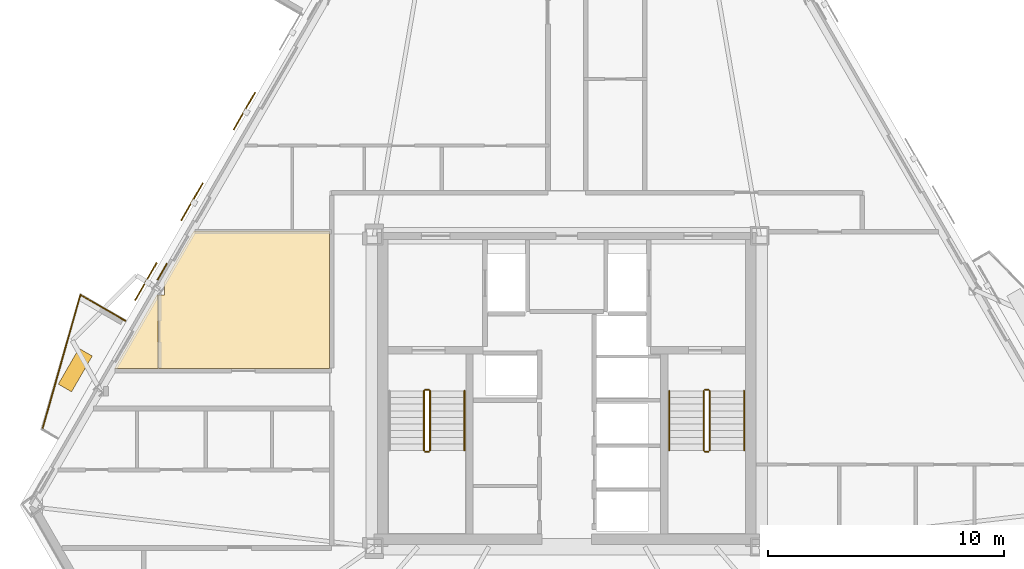
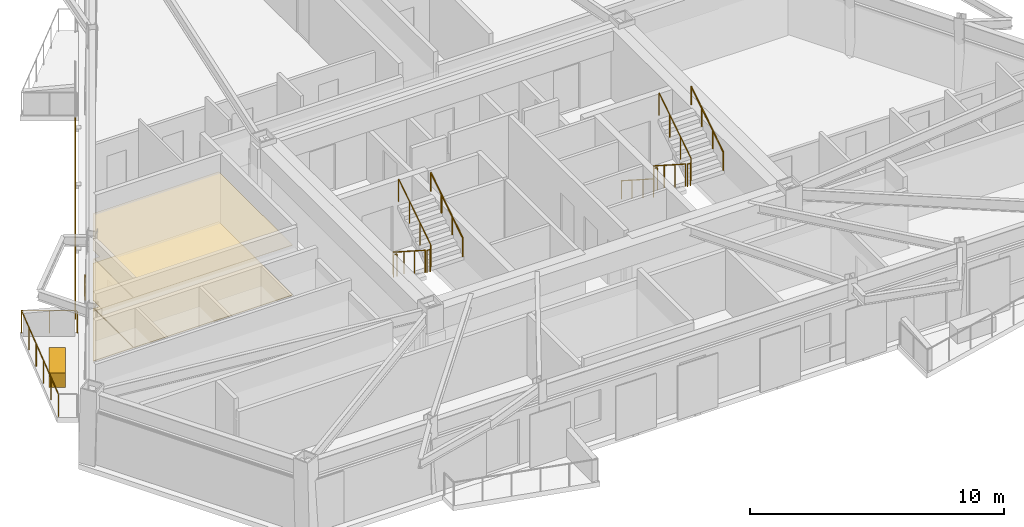
# One storey, part 8 of 9: 13 railings, 6 coverings, 3 shading devices.
"""IFC4 building model written with IfcOpenShell, lengths in metres."""

from ifc_helpers import new_model, si_unit, direction, frame, origin, origin_2d, place, context, subcontext, project, spatial, polyline, rectangle, circle, outline, extrude, material, layer, layer_set, type_object, element, save


model = new_model("IFC4")

# Units and contexts
model_context = context("Model", 3, precision=1e-05, world=origin(), true_north=direction((0.0, 1.0)))
body_context = subcontext(model_context, "Body", "Model", "MODEL_VIEW")
ifc_project = project(units=[si_unit("LENGTHUNIT", "METRE"), si_unit("AREAUNIT", "SQUARE_METRE"), si_unit("VOLUMEUNIT", "CUBIC_METRE"), si_unit("PLANEANGLEUNIT", "RADIAN"), si_unit("MASSUNIT", "GRAM", prefix="KILO")], contexts=[model_context])

# Site, building, storey
site_placement = place(None, origin())
site = spatial("IfcSite", under=ifc_project, at=site_placement, CompositionType="ELEMENT")
building_placement = place(site_placement, origin())
building = spatial("IfcBuilding", under=site, at=building_placement, Name="Oramaril Tower", CompositionType="ELEMENT")
storey_placement = place(building_placement, frame((0.0, 0.0, 142.199951171875)))
storey = spatial("IfcBuildingStorey", under=building, at=storey_placement, Name="L37", CompositionType="ELEMENT", Elevation=142.199951171875)

# Coverings
ifc_material_1 = material(Name="Mineral Fibre Acoustic Ceiling")
ifc_layer_1 = layer(ifc_material_1, 0.02001953125)
ifc_layer_set_1 = layer_set([ifc_layer_1], Name="CVT-CEIL")
covering_type_1 = type_object("IfcCoveringType", Name="CVT-CEIL", PredefinedType="CEILING", material=ifc_layer_set_1)
covering_1_placement = place(storey_placement, frame((0.0, 0.0, 2.400146484375)))
element("IfcCovering", 1, at=covering_1_placement, inside=storey, type_object=covering_type_1, Name="L37 Acoustic Suspended Ceiling 14", PredefinedType="CEILING", context=body_context, shape_type="SweptSolid", body=[
    extrude(outline(polyline([(20.226806640625, 21.658935546875), (20.4775390625, 21.658935546875), (20.4775390625, 22.1494140625), (20.4482421875, 22.1494140625), (21.725830078125, 24.362060546875), (27.449951171875, 24.362060546875), (27.449951171875, 24.239990234375), (27.4501953125, 24.238037109375), (27.450439453125, 24.236083984375), (27.450927734375, 24.234130859375), (27.451416015625, 24.232421875), (27.452392578125, 24.230712890625), (27.45263671875, 24.22998046875), (27.452392578125, 24.2294921875), (27.451416015625, 24.227783203125), (27.450927734375, 24.225830078125), (27.450439453125, 24.223876953125), (27.4501953125, 24.221923828125), (27.449951171875, 24.219970703125), (27.449951171875, 18.550048828125), (20.226806640625, 18.550048828125), (20.226806640625, 21.658935546875)])), origin(), (0.0, 0.0, 1.0), 0.02001953125),
])
covering_2_placement = place(storey_placement, frame((0.0, 0.0, 2.400146484375)))
element("IfcCovering", 2, at=covering_2_placement, inside=storey, type_object=covering_type_1, Name="L37 Acoustic Suspended Ceiling 15", PredefinedType="CEILING", context=body_context, shape_type="SweptSolid", body=[
    extrude(outline(polyline([(20.165283203125, 21.658935546875), (20.206787109375, 21.658935546875), (20.206787109375, 18.550048828125), (18.370361328125, 18.550048828125), (20.165283203125, 21.658935546875)])), origin(), (0.0, 0.0, 1.0), 0.02001953125),
])
ifc_material_2 = material(Name="Warm Cream Limestone", Category="masonry")
ifc_layer_2 = layer(ifc_material_2, 0.050048828125)
ifc_layer_set_2 = layer_set([ifc_layer_2], Name="CVT-CLD")
covering_type_2 = type_object("IfcCoveringType", Name="CVT-CLD", PredefinedType="CLADDING", material=ifc_layer_set_2)
covering_3_placement = place(storey_placement, frame((20.383056640625, 22.63818359375, 0.0400390625), z_axis=(0.0, 0.0, 1.0), x_axis=(-0.4999984885, -0.866026276448, 0.0)))
element("IfcCovering", 3, at=covering_3_placement, inside=storey, type_object=covering_type_2, Name="L37 Warm Cream Limestone Spandrel Cladding", PredefinedType="CLADDING", context=body_context, shape_type="SweptSolid", body=[
    extrude(rectangle(XDim=0.800048828125, YDim=0.050048828125, at=origin_2d()), origin(), (0.0, 0.0, 1.0), 0.679931640625),
])
covering_4_placement = place(storey_placement, frame((16.70361328125, 18.472412109375, 0.0), z_axis=(0.0, 0.0, 1.0), x_axis=(-0.4999984885, -0.866026276448, 0.0)))
element("IfcCovering", 4, at=covering_4_placement, inside=storey, type_object=covering_type_2, Name="L37 Structural Tree Planter Box L37-BAL-NW2", PredefinedType="CLADDING", context=body_context, shape_type="SweptSolid", body=[
    extrude(rectangle(XDim=1.75, YDim=0.64990234375, at=origin_2d()), origin(), (0.0, 0.0, 1.0), 0.699951171875),
])
ifc_material_3 = material(Name="Honed Quartzite Stone Flooring", Category="masonry")
ifc_layer_3 = layer(ifc_material_3, 0.02490234375)
ifc_layer_set_3 = layer_set([ifc_layer_3], Name="CVT-FLR")
covering_type_3 = type_object("IfcCoveringType", Name="CVT-FLR", PredefinedType="FLOORING", material=ifc_layer_set_3)
covering_5_placement = place(storey_placement, origin())
element("IfcCovering", 5, at=covering_5_placement, inside=storey, type_object=covering_type_3, Name="L37 Honed Stone Floor Finish 14", PredefinedType="FLOORING", context=body_context, shape_type="SweptSolid", body=[
    extrude(outline(polyline([(20.226806640625, 21.658935546875), (20.4775390625, 21.658935546875), (20.4775390625, 22.1494140625), (20.4482421875, 22.1494140625), (21.725830078125, 24.362060546875), (27.449951171875, 24.362060546875), (27.449951171875, 24.239990234375), (27.4501953125, 24.238037109375), (27.450439453125, 24.236083984375), (27.450927734375, 24.234130859375), (27.451416015625, 24.232421875), (27.452392578125, 24.230712890625), (27.45263671875, 24.22998046875), (27.452392578125, 24.2294921875), (27.451416015625, 24.227783203125), (27.450927734375, 24.225830078125), (27.450439453125, 24.223876953125), (27.4501953125, 24.221923828125), (27.449951171875, 24.219970703125), (27.449951171875, 18.550048828125), (20.226806640625, 18.550048828125), (20.226806640625, 21.658935546875)])), origin(), (0.0, 0.0, 1.0), 0.025146484375),
])
covering_6_placement = place(storey_placement, origin())
element("IfcCovering", 6, at=covering_6_placement, inside=storey, type_object=covering_type_3, Name="L37 Honed Stone Floor Finish 15", PredefinedType="FLOORING", context=body_context, shape_type="SweptSolid", body=[
    extrude(outline(polyline([(20.165283203125, 21.658935546875), (20.206787109375, 21.658935546875), (20.206787109375, 18.550048828125), (18.370361328125, 18.550048828125), (20.165283203125, 21.658935546875)])), origin(), (0.0, 0.0, 1.0), 0.025146484375),
])

# Railings
ifc_material_4 = material(Name="Stainless Steel 316L", Category="steel")
railing_type_1 = type_object("IfcRailingType", Name="RLT-GRD", PredefinedType="GUARDRAIL", material=ifc_material_4)
railing_1_placement = place(storey_placement, frame((15.3115234375, 15.968017578125, 0.0)))
element("IfcRailing", 7, at=railing_1_placement, inside=storey, type_object=railing_type_1, Name="L37 Balcony Guardrail L37-BAL-NW2.2", PredefinedType="GUARDRAIL", context=body_context, shape_type="SweptSolid", body=[
    extrude(circle(Radius=0.02392578125, at=origin_2d()), frame((0.0, 0.0, 1.076171875), z_axis=(0.27224886544, 0.962226873074, 0.0), x_axis=(-0.962226873074, 0.27224886544, 0.0)), (0.0, 0.0, 1.0), 5.910400390625),
    extrude(circle(Radius=0.02099609375, at=origin_2d()), origin(), (0.0, 0.0, 1.0), 1.052001953125),
    extrude(circle(Radius=0.02099609375, at=origin_2d()), frame((0.32177734375, 1.137451171875, 0.0)), (0.0, 0.0, 1.0), 1.052001953125),
    extrude(circle(Radius=0.02099609375, at=origin_2d()), frame((0.6435546875, 2.27490234375, 0.0)), (0.0, 0.0, 1.0), 1.052001953125),
    extrude(circle(Radius=0.02099609375, at=origin_2d()), frame((0.965576171875, 3.412353515625, 0.0)), (0.0, 0.0, 1.0), 1.052001953125),
    extrude(circle(Radius=0.02099609375, at=origin_2d()), frame((1.287353515625, 4.5498046875, 0.0)), (0.0, 0.0, 1.0), 1.052001953125),
    extrude(circle(Radius=0.02099609375, at=origin_2d()), frame((1.609130859375, 5.687255859375, 0.0)), (0.0, 0.0, 1.0), 1.052001953125),
])
railing_2_placement = place(storey_placement, frame((16.920654296875, 21.6552734375, 0.0)))
element("IfcRailing", 8, at=railing_2_placement, inside=storey, type_object=railing_type_1, Name="L37 Balcony Guardrail L37-BAL-NW2.3", PredefinedType="GUARDRAIL", context=body_context, shape_type="SweptSolid", body=[
    extrude(circle(Radius=0.02392578125, at=origin_2d()), frame((0.0, 0.0, 1.076171875), z_axis=(0.866000118559, -0.500043792738, 0.0), x_axis=(0.500043792738, 0.866000118559, 0.0)), (0.0, 0.0, 1.0), 2.192138671875),
    extrude(circle(Radius=0.02099609375, at=origin_2d()), origin(), (0.0, 0.0, 1.0), 1.052001953125),
    extrude(circle(Radius=0.02099609375, at=origin_2d()), frame((0.94921875, -0.548095703125, 0.0)), (0.0, 0.0, 1.0), 1.052001953125),
    extrude(circle(Radius=0.02099609375, at=origin_2d()), frame((1.8984375, -1.09619140625, 0.0)), (0.0, 0.0, 1.0), 1.052001953125),
])
railing_3_placement = place(storey_placement, frame((31.4599609375, 17.590087890625, 0.179931640625)))
element("IfcRailing", 9, at=railing_3_placement, inside=storey, type_object=railing_type_1, Name="L37 ST-1 stair guard 1", PredefinedType="GUARDRAIL", context=body_context, shape_type="SweptSolid", body=[
    extrude(circle(Radius=0.02392578125, at=origin_2d()), frame((0.0, 0.0, 1.076171875), z_axis=(0.0, -0.841162588446, 0.540782303519), x_axis=(1.0, 0.0, 0.0)), (0.0, 0.0, 1.0), 2.995849609375),
    extrude(circle(Radius=0.02099609375, at=origin_2d()), origin(), (0.0, 0.0, 1.0), 1.052001953125),
    extrude(circle(Radius=0.02099609375, at=origin_2d()), frame((0.0, -0.840087890625, 0.5400390625)), (0.0, 0.0, 1.0), 1.052001953125),
    extrude(circle(Radius=0.02099609375, at=origin_2d()), frame((0.0, -1.679931640625, 1.080078125)), (0.0, 0.0, 1.0), 1.052001953125),
    extrude(circle(Radius=0.02099609375, at=origin_2d()), frame((0.0, -2.52001953125, 1.6201171875)), (0.0, 0.0, 1.0), 1.052001953125),
])
railing_4_placement = place(storey_placement, frame((31.510009765625, 15.02001953125, 1.800048828125)))
element("IfcRailing", 10, at=railing_4_placement, inside=storey, type_object=railing_type_1, Name="L37 ST-1 stair guard 2", PredefinedType="GUARDRAIL", context=body_context, shape_type="SweptSolid", body=[
    extrude(circle(Radius=0.02392578125, at=origin_2d()), frame((0.0, 0.0, 1.076171875), z_axis=(1.0, 0.0, 0.0), x_axis=(0.0, 1.0, 0.0)), (0.0, 0.0, 1.0), 0.14990234375),
    extrude(circle(Radius=0.02099609375, at=origin_2d()), origin(), (0.0, 0.0, 1.0), 1.052001953125),
    extrude(circle(Radius=0.02099609375, at=origin_2d()), frame((0.14990234375, 0.0, 0.0)), (0.0, 0.0, 1.0), 1.052001953125),
])
railing_5_placement = place(storey_placement, frame((31.7099609375, 15.070068359375, 1.97998046875)))
element("IfcRailing", 11, at=railing_5_placement, inside=storey, type_object=railing_type_1, Name="L37 ST-1 stair guard 3", PredefinedType="GUARDRAIL", context=body_context, shape_type="SweptSolid", body=[
    extrude(circle(Radius=0.02392578125, at=origin_2d()), frame((0.0, 0.0, 1.076171875), z_axis=(0.0, 0.841162588446, 0.540782303519), x_axis=(-1.0, 0.0, 0.0)), (0.0, 0.0, 1.0), 2.995849609375),
    extrude(circle(Radius=0.02099609375, at=origin_2d()), origin(), (0.0, 0.0, 1.0), 1.052001953125),
    extrude(circle(Radius=0.02099609375, at=origin_2d()), frame((0.0, 0.840087890625, 0.5400390625)), (0.0, 0.0, 1.0), 1.052001953125),
    extrude(circle(Radius=0.02099609375, at=origin_2d()), frame((0.0, 1.679931640625, 1.080078125)), (0.0, 0.0, 1.0), 1.052001953125),
    extrude(circle(Radius=0.02099609375, at=origin_2d()), frame((0.0, 2.52001953125, 1.6201171875)), (0.0, 0.0, 1.0), 1.052001953125),
])
railing_6_placement = place(storey_placement, frame((31.510009765625, 17.639892578125, 0.0)))
element("IfcRailing", 12, at=railing_6_placement, inside=storey, type_object=railing_type_1, Name="L37 ST-1 stair guard 4", PredefinedType="GUARDRAIL", context=body_context, shape_type="SweptSolid", body=[
    extrude(circle(Radius=0.02392578125, at=origin_2d()), frame((0.0, 0.0, 1.076171875), z_axis=(1.0, 0.0, 0.0), x_axis=(0.0, 1.0, 0.0)), (0.0, 0.0, 1.0), 0.14990234375),
    extrude(circle(Radius=0.02099609375, at=origin_2d()), origin(), (0.0, 0.0, 1.0), 1.052001953125),
    extrude(circle(Radius=0.02099609375, at=origin_2d()), frame((0.14990234375, 0.0, 0.0)), (0.0, 0.0, 1.0), 1.052001953125),
])
railing_7_placement = place(storey_placement, frame((43.2900390625, 17.590087890625, 0.179931640625)))
element("IfcRailing", 13, at=railing_7_placement, inside=storey, type_object=railing_type_1, Name="L37 ST-2 stair guard 1", PredefinedType="GUARDRAIL", context=body_context, shape_type="SweptSolid", body=[
    extrude(circle(Radius=0.02392578125, at=origin_2d()), frame((0.0, 0.0, 1.076171875), z_axis=(0.0, -0.841162588446, 0.540782303519), x_axis=(1.0, 0.0, 0.0)), (0.0, 0.0, 1.0), 2.995849609375),
    extrude(circle(Radius=0.02099609375, at=origin_2d()), origin(), (0.0, 0.0, 1.0), 1.052001953125),
    extrude(circle(Radius=0.02099609375, at=origin_2d()), frame((0.0, -0.840087890625, 0.5400390625)), (0.0, 0.0, 1.0), 1.052001953125),
    extrude(circle(Radius=0.02099609375, at=origin_2d()), frame((0.0, -1.679931640625, 1.080078125)), (0.0, 0.0, 1.0), 1.052001953125),
    extrude(circle(Radius=0.02099609375, at=origin_2d()), frame((0.0, -2.52001953125, 1.6201171875)), (0.0, 0.0, 1.0), 1.052001953125),
])
railing_8_placement = place(storey_placement, frame((43.340087890625, 15.02001953125, 1.800048828125)))
element("IfcRailing", 14, at=railing_8_placement, inside=storey, type_object=railing_type_1, Name="L37 ST-2 stair guard 2", PredefinedType="GUARDRAIL", context=body_context, shape_type="SweptSolid", body=[
    extrude(circle(Radius=0.02392578125, at=origin_2d()), frame((0.0, 0.0, 1.076171875), z_axis=(1.0, 0.0, 0.0), x_axis=(0.0, 1.0, 0.0)), (0.0, 0.0, 1.0), 0.14990234375),
    extrude(circle(Radius=0.02099609375, at=origin_2d()), origin(), (0.0, 0.0, 1.0), 1.052001953125),
    extrude(circle(Radius=0.02099609375, at=origin_2d()), frame((0.14990234375, 0.0, 0.0)), (0.0, 0.0, 1.0), 1.052001953125),
])
railing_9_placement = place(storey_placement, frame((43.5400390625, 15.070068359375, 1.97998046875)))
element("IfcRailing", 15, at=railing_9_placement, inside=storey, type_object=railing_type_1, Name="L37 ST-2 stair guard 3", PredefinedType="GUARDRAIL", context=body_context, shape_type="SweptSolid", body=[
    extrude(circle(Radius=0.02392578125, at=origin_2d()), frame((0.0, 0.0, 1.076171875), z_axis=(0.0, 0.841162588446, 0.540782303519), x_axis=(-1.0, 0.0, 0.0)), (0.0, 0.0, 1.0), 2.995849609375),
    extrude(circle(Radius=0.02099609375, at=origin_2d()), origin(), (0.0, 0.0, 1.0), 1.052001953125),
    extrude(circle(Radius=0.02099609375, at=origin_2d()), frame((0.0, 0.840087890625, 0.5400390625)), (0.0, 0.0, 1.0), 1.052001953125),
    extrude(circle(Radius=0.02099609375, at=origin_2d()), frame((0.0, 1.679931640625, 1.080078125)), (0.0, 0.0, 1.0), 1.052001953125),
    extrude(circle(Radius=0.02099609375, at=origin_2d()), frame((0.0, 2.52001953125, 1.6201171875)), (0.0, 0.0, 1.0), 1.052001953125),
])
railing_10_placement = place(storey_placement, frame((43.340087890625, 17.639892578125, 0.0)))
element("IfcRailing", 16, at=railing_10_placement, inside=storey, type_object=railing_type_1, Name="L37 ST-2 stair guard 4", PredefinedType="GUARDRAIL", context=body_context, shape_type="SweptSolid", body=[
    extrude(circle(Radius=0.02392578125, at=origin_2d()), frame((0.0, 0.0, 1.076171875), z_axis=(1.0, 0.0, 0.0), x_axis=(0.0, 1.0, 0.0)), (0.0, 0.0, 1.0), 0.14990234375),
    extrude(circle(Radius=0.02099609375, at=origin_2d()), origin(), (0.0, 0.0, 1.0), 1.052001953125),
    extrude(circle(Radius=0.02099609375, at=origin_2d()), frame((0.14990234375, 0.0, 0.0)), (0.0, 0.0, 1.0), 1.052001953125),
])
ifc_material_5 = material(Name="Stainless Steel 316L", Category="steel")
railing_type_2 = type_object("IfcRailingType", Name="RLT-HND", PredefinedType="HANDRAIL", material=ifc_material_5)
railing_11_placement = place(storey_placement, frame((33.169921875, 15.070068359375, 1.97998046875)))
element("IfcRailing", 17, at=railing_11_placement, inside=storey, type_object=railing_type_2, Name="L37 ST-1 stair handrail 2", PredefinedType="HANDRAIL", context=body_context, shape_type="SweptSolid", body=[
    extrude(circle(Radius=0.02392578125, at=origin_2d()), frame((0.0, 0.0, 0.8759765625), z_axis=(0.0, 0.841162588446, 0.540782303519), x_axis=(-1.0, 0.0, 0.0)), (0.0, 0.0, 1.0), 2.995849609375),
    extrude(circle(Radius=0.02099609375, at=origin_2d()), origin(), (0.0, 0.0, 1.0), 0.851806640625),
    extrude(circle(Radius=0.02099609375, at=origin_2d()), frame((0.0, 0.840087890625, 0.5400390625)), (0.0, 0.0, 1.0), 0.851806640625),
    extrude(circle(Radius=0.02099609375, at=origin_2d()), frame((0.0, 1.679931640625, 1.080078125)), (0.0, 0.0, 1.0), 0.851806640625),
    extrude(circle(Radius=0.02099609375, at=origin_2d()), frame((0.0, 2.52001953125, 1.6201171875)), (0.0, 0.0, 1.0), 0.851806640625),
])
railing_12_placement = place(storey_placement, frame((41.830078125, 17.590087890625, 0.179931640625)))
element("IfcRailing", 18, at=railing_12_placement, inside=storey, type_object=railing_type_2, Name="L37 ST-2 stair handrail 1", PredefinedType="HANDRAIL", context=body_context, shape_type="SweptSolid", body=[
    extrude(circle(Radius=0.02392578125, at=origin_2d()), frame((0.0, 0.0, 0.8759765625), z_axis=(0.0, -0.841162588446, 0.540782303519), x_axis=(1.0, 0.0, 0.0)), (0.0, 0.0, 1.0), 2.995849609375),
    extrude(circle(Radius=0.02099609375, at=origin_2d()), origin(), (0.0, 0.0, 1.0), 0.851806640625),
    extrude(circle(Radius=0.02099609375, at=origin_2d()), frame((0.0, -0.840087890625, 0.5400390625)), (0.0, 0.0, 1.0), 0.851806640625),
    extrude(circle(Radius=0.02099609375, at=origin_2d()), frame((0.0, -1.679931640625, 1.080078125)), (0.0, 0.0, 1.0), 0.851806640625),
    extrude(circle(Radius=0.02099609375, at=origin_2d()), frame((0.0, -2.52001953125, 1.6201171875)), (0.0, 0.0, 1.0), 0.851806640625),
])
railing_13_placement = place(storey_placement, frame((45.0, 15.070068359375, 1.97998046875)))
element("IfcRailing", 19, at=railing_13_placement, inside=storey, type_object=railing_type_2, Name="L37 ST-2 stair handrail 2", PredefinedType="HANDRAIL", context=body_context, shape_type="SweptSolid", body=[
    extrude(circle(Radius=0.02392578125, at=origin_2d()), frame((0.0, 0.0, 0.8759765625), z_axis=(0.0, 0.841162588446, 0.540782303519), x_axis=(-1.0, 0.0, 0.0)), (0.0, 0.0, 1.0), 2.995849609375),
    extrude(circle(Radius=0.02099609375, at=origin_2d()), origin(), (0.0, 0.0, 1.0), 0.851806640625),
    extrude(circle(Radius=0.02099609375, at=origin_2d()), frame((0.0, 0.840087890625, 0.5400390625)), (0.0, 0.0, 1.0), 0.851806640625),
    extrude(circle(Radius=0.02099609375, at=origin_2d()), frame((0.0, 1.679931640625, 1.080078125)), (0.0, 0.0, 1.0), 0.851806640625),
    extrude(circle(Radius=0.02099609375, at=origin_2d()), frame((0.0, 2.52001953125, 1.6201171875)), (0.0, 0.0, 1.0), 0.851806640625),
])

# Shading devices
for number, where, z_axis, x_axis, name in (
    (20, (21.644287109375, 25.5966796875, -0.02001953125), (0.0, 0.0, 1.0), (-0.4999984885, -0.866026276448, 0.0), "L37 Perforated Ceramic Solar Screen"),
    (21, (19.6943359375, 22.21923828125, -0.02001953125), (0.0, 0.0, 1.0), (-0.4999984885, -0.866026276448, 0.0), "L37 Perforated Ceramic Solar Screen"),
    (22, (23.85693359375, 29.42919921875, -0.02001953125), (0.0, 0.0, 1.0), (-0.4999984885, -0.866026276448, 0.0), "L37 Perforated Ceramic Solar Screen"),
):
    element("IfcShadingDevice", number, at=place(storey_placement, frame(where, z_axis=z_axis, x_axis=x_axis)), inside=storey, Name=name, ObjectType="SCREEN", PredefinedType="USERDEFINED", context=body_context, shape_type="SweptSolid", body=[
        extrude(rectangle(XDim=1.8330078125, YDim=0.050048828125, at=origin_2d()), origin(), (0.0, 0.0, 1.0), 2.580078125),
    ])

save(model, "model.ifc")
